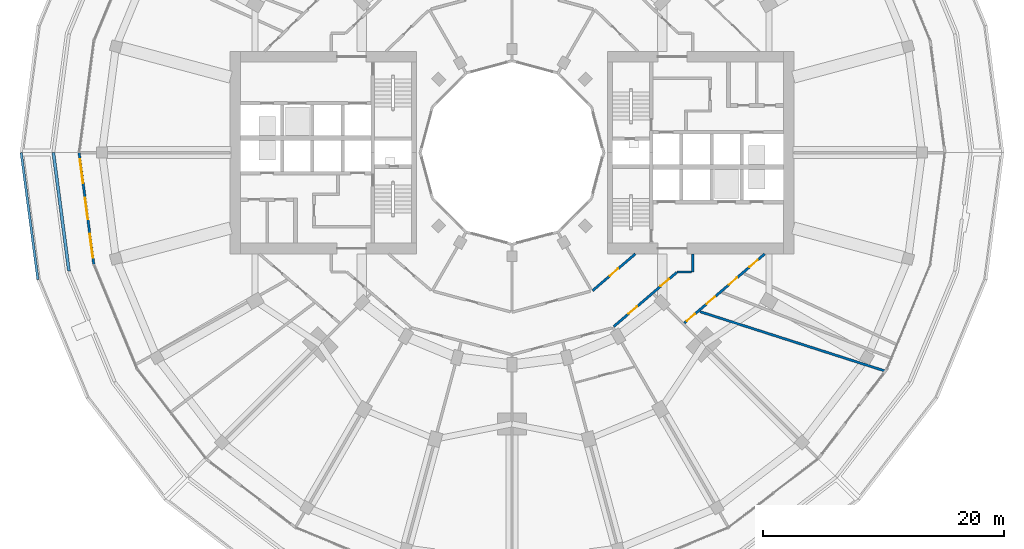
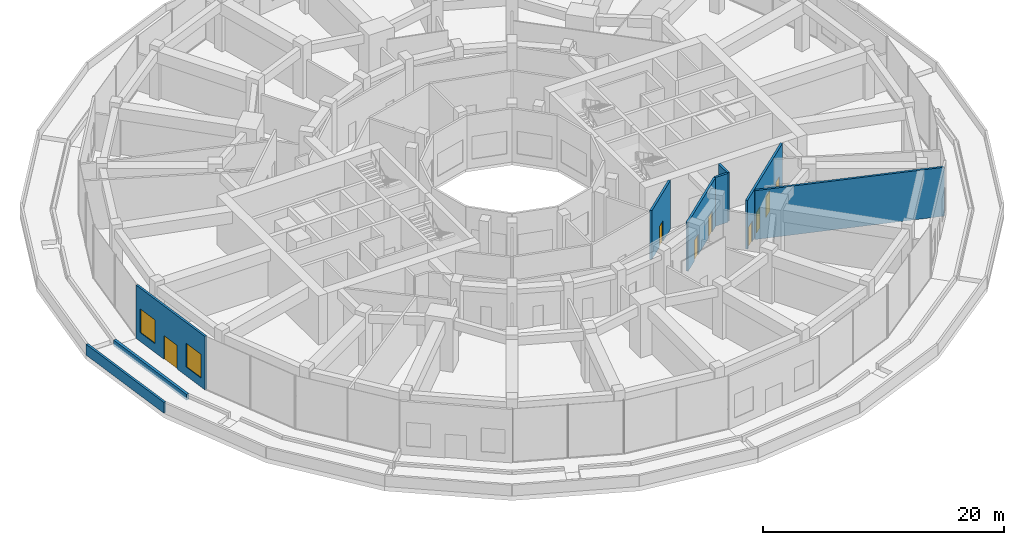
# One storey, part 18 of 26: 9 walls, 8 doors, 2 windows, 10 openings.
"""IFC4 building model written with IfcOpenShell, lengths in metres."""

from ifc_helpers import new_model, si_unit, direction, frame, frame_2d, origin, place, context, subcontext, project, spatial, rectangle, extrude, material, layer, layer_set, type_object, element, fill, save


model = new_model("IFC4")

# Units and contexts
model_context = context("Model", 3, precision=1e-05, world=origin(), true_north=direction((0.0, 1.0)))
body_context = subcontext(model_context, "Body", "Model", "MODEL_VIEW")
ifc_project = project(units=[si_unit("LENGTHUNIT", "METRE"), si_unit("AREAUNIT", "SQUARE_METRE"), si_unit("VOLUMEUNIT", "CUBIC_METRE"), si_unit("PLANEANGLEUNIT", "RADIAN"), si_unit("MASSUNIT", "GRAM", prefix="KILO")], contexts=[model_context])

# Site, building, storey
site_placement = place(None, origin())
site = spatial("IfcSite", under=ifc_project, at=site_placement, CompositionType="ELEMENT")
building_placement = place(site_placement, origin())
building = spatial("IfcBuilding", under=site, at=building_placement, Name="Torre Brocal", CompositionType="ELEMENT")
storey_placement = place(building_placement, frame((0.0, 0.0, 12.39990234375)))
storey = spatial("IfcBuildingStorey", under=building, at=storey_placement, Name="L02", CompositionType="ELEMENT", Elevation=12.39990234375)

# Wall, openings, windows, door
ifc_material_1 = material(Name="Concrete C40", Category="concrete")
ifc_layer_1 = layer(ifc_material_1, 0.199951171875)
ifc_layer_set_1 = layer_set([ifc_layer_1], Name="Concrete C40")
wall_type_1 = type_object("IfcWallType", Name="EXTERNAL WALL 200", PredefinedType="NOTDEFINED", material=ifc_layer_set_1)
wall_1_placement = place(storey_placement, frame((44.100830078125, 75.0, 0.0), z_axis=(0.0, 0.0, 1.0), x_axis=(0.130518532918, -0.99144586971, 0.0)))
wall_1 = element("IfcWall", 1, at=wall_1_placement, inside=storey, type_object=wall_type_1, Name="EXTERNAL WALL", PredefinedType="NOTDEFINED", context=body_context, shape_type="SweptSolid", body=[
    extrude(rectangle(XDim=9.371337890625, YDim=0.199951171875, at=frame_2d((4.685546875, 0.0))), origin(), (0.0, 0.0, 1.0), 5.400146484375),
])
opening_1_placement = place(wall_1_placement, frame((0.56201171875, 0.0, 0.89990234375)))
opening_1 = element("IfcOpeningElement", 2, at=opening_1_placement, cuts=wall_1, Name="Opening W2", PredefinedType="OPENING", context=body_context, shape_type="SweptSolid", body=[
    extrude(rectangle(XDim=2.0, YDim=2.39990234375, at=frame_2d((1.0, 1.199951171875))), frame((0.0, 0.10986328125, 0.0), z_axis=(0.0, -1.0, 0.0), x_axis=(1.0, 0.0, 0.0)), (0.0, 0.0, 1.0), 0.219970703125),
])
opening_2_placement = place(wall_1_placement, frame((3.785888671875, 0.0, 0.0)))
opening_2 = element("IfcOpeningElement", 3, at=opening_2_placement, cuts=wall_1, Name="Opening L02-E05", PredefinedType="OPENING", context=body_context, shape_type="SweptSolid", body=[
    extrude(rectangle(XDim=1.800048828125, YDim=2.39990234375, at=frame_2d((0.89990234375, 1.199951171875))), frame((0.0, 0.10986328125, 0.0), z_axis=(0.0, -1.0, 0.0), x_axis=(1.0, 0.0, 0.0)), (0.0, 0.0, 1.0), 0.219970703125),
])
opening_3_placement = place(wall_1_placement, frame((6.8095703125, 0.0, 0.89990234375)))
opening_3 = element("IfcOpeningElement", 4, at=opening_3_placement, cuts=wall_1, Name="Opening W2", PredefinedType="OPENING", context=body_context, shape_type="SweptSolid", body=[
    extrude(rectangle(XDim=2.0, YDim=2.39990234375, at=frame_2d((1.0, 1.199951171875))), frame((0.0, 0.10986328125, 0.0), z_axis=(0.0, -1.0, 0.0), x_axis=(1.0, 0.0, 0.0)), (0.0, 0.0, 1.0), 0.219970703125),
])
ifc_material_2 = material(Name="Aluminium and glass", Category="aluminium")
window_type = type_object("IfcWindowType", Name="PODIUM WINDOW 2000X2400", PartitioningType="SINGLE_PANEL", PredefinedType="WINDOW", material=ifc_material_2)
window_1_placement = place(opening_1_placement, origin())
window_1 = element("IfcWindow", 5, at=window_1_placement, inside=storey, type_object=window_type, Name="PODIUM WINDOW 2000X2400", OverallHeight=2.39990234375, OverallWidth=2.0, PartitioningType="SINGLE_PANEL", PredefinedType="WINDOW", context=body_context, shape_type="SweptSolid", body=[
    extrude(rectangle(XDim=2.0, YDim=2.39990234375, at=frame_2d((1.0, 1.199951171875))), frame((0.0, 0.030029296875, 0.0), z_axis=(0.0, -1.0, 0.0), x_axis=(1.0, 0.0, 0.0)), (0.0, 0.0, 1.0), 0.06005859375),
])
fill(opening_1, window_1)
window_2_placement = place(opening_3_placement, origin())
window_2 = element("IfcWindow", 6, at=window_2_placement, inside=storey, type_object=window_type, Name="PODIUM WINDOW 2000X2400", OverallHeight=2.39990234375, OverallWidth=2.0, PartitioningType="SINGLE_PANEL", PredefinedType="WINDOW", context=body_context, shape_type="SweptSolid", body=[
    extrude(rectangle(XDim=2.0, YDim=2.39990234375, at=frame_2d((1.0, 1.199951171875))), frame((0.0, 0.030029296875, 0.0), z_axis=(0.0, -1.0, 0.0), x_axis=(1.0, 0.0, 0.0)), (0.0, 0.0, 1.0), 0.06005859375),
])
fill(opening_3, window_2)
ifc_material_3 = material(Name="Aluminium and glass", Category="aluminium")
door_type_1 = type_object("IfcDoorType", Name="TERRACE DOUBLE DOOR 1800X2400", OperationType="DOUBLE_DOOR_SINGLE_SWING", PredefinedType="DOOR", material=ifc_material_3)
door_1_placement = place(opening_2_placement, frame((1.800048828125, 0.0, 0.0), z_axis=(0.0, 0.0, 1.0), x_axis=(-1.0, 0.0, 0.0)))
door_1 = element("IfcDoor", 7, at=door_1_placement, inside=storey, type_object=door_type_1, Name="DOOR L02-E05", OperationType="DOUBLE_DOOR_SINGLE_SWING", OverallHeight=2.39990234375, OverallWidth=1.800048828125, PredefinedType="DOOR", context=body_context, shape_type="SweptSolid", body=[
    extrude(rectangle(XDim=1.800048828125, YDim=2.39990234375, at=frame_2d((0.89990234375, 1.199951171875))), frame((0.0, 0.02490234375, 0.0), z_axis=(0.0, -1.0, 0.0), x_axis=(1.0, 0.0, 0.0)), (0.0, 0.0, 1.0), 0.050048828125),
])
fill(opening_2, door_1)

# Wall
ifc_material_4 = material(Name="Concrete C40", Category="concrete")
ifc_layer_2 = layer(ifc_material_4, 0.199951171875)
ifc_layer_set_2 = layer_set([ifc_layer_2], Name="Concrete C40")
wall_type_2 = type_object("IfcWallType", Name="PARAPET WALL 200 THICK 1100 HIGH", PredefinedType="PARAPET", material=ifc_layer_set_2)
wall_2_placement = place(storey_placement, frame((40.6875, 64.479736328125, 0.0), z_axis=(0.0, 0.0, 1.0), x_axis=(-0.130524829249, 0.991445040811, 0.0)))
element("IfcWall", 8, at=wall_2_placement, inside=storey, type_object=wall_type_2, Name="PARAPET WALL 12", PredefinedType="PARAPET", context=body_context, shape_type="SweptSolid", body=[
    extrude(rectangle(XDim=10.597900390625, YDim=0.199951171875, at=frame_2d((5.298828125, 0.0))), origin(), (0.0, 0.0, 1.0), 1.10009765625),
])

# Wall, opening, door
ifc_material_5 = material(Name="Gypsum board", Category="Gypsum")
ifc_layer_3 = layer(ifc_material_5, 0.199951171875)
ifc_layer_set_3 = layer_set([ifc_layer_3], Name="Gypsum board")
wall_type_3 = type_object("IfcWallType", Name="PARTITION 200 EI60", PredefinedType="PARTITIONING", material=ifc_layer_set_3)
wall_3_placement = place(storey_placement, frame((86.68505859375, 63.551025390625, 0.0), z_axis=(0.0, 0.0, 1.0), x_axis=(0.758049900748, 0.652196556244, 0.0)))
wall_3 = element("IfcWall", 9, at=wall_3_placement, inside=storey, type_object=wall_type_3, Name="CORRIDOR WALL", PredefinedType="PARTITIONING", context=body_context, shape_type="SweptSolid", body=[
    extrude(rectangle(XDim=4.675048828125, YDim=0.199951171875, at=frame_2d((2.33740234375, 0.0))), origin(), (0.0, 0.0, 1.0), 4.9501953125),
])
opening_4_placement = place(wall_3_placement, frame((1.887451171875, 0.0, 0.0)))
opening_4 = element("IfcOpeningElement", 10, at=opening_4_placement, cuts=wall_3, Name="Opening PD2-D37", PredefinedType="OPENING", context=body_context, shape_type="SweptSolid", body=[
    extrude(rectangle(XDim=0.89990234375, YDim=2.10009765625, at=frame_2d((0.449951171875, 1.050048828125))), frame((0.0, 0.10986328125, 0.0), z_axis=(0.0, -1.0, 0.0), x_axis=(1.0, 0.0, 0.0)), (0.0, 0.0, 1.0), 0.219970703125),
])
ifc_material_6 = material(Name="Timber", Category="wood")
door_type_2 = type_object("IfcDoorType", Name="ROOM DOOR 900X2100", OperationType="SINGLE_SWING_LEFT", PredefinedType="DOOR", material=ifc_material_6)
door_2_placement = place(opening_4_placement, origin())
door_2 = element("IfcDoor", 11, at=door_2_placement, inside=storey, type_object=door_type_2, Name="PD2-D37", OperationType="SINGLE_SWING_RIGHT", OverallHeight=2.10009765625, OverallWidth=0.89990234375, PredefinedType="DOOR", context=body_context, shape_type="SweptSolid", body=[
    extrude(rectangle(XDim=0.89990234375, YDim=2.10009765625, at=frame_2d((0.449951171875, 1.050048828125))), frame((0.0, 0.02490234375, 0.0), z_axis=(0.0, -1.0, 0.0), x_axis=(1.0, 0.0, 0.0)), (0.0, 0.0, 1.0), 0.050048828125),
])
fill(opening_4, door_2)

# Wall, openings, doors
wall_4_placement = place(storey_placement, frame((88.436279296875, 60.572509765625, 0.0), z_axis=(0.0, 0.0, 1.0), x_axis=(0.758186248639, 0.652038045189, 0.0)))
wall_4 = element("IfcWall", 12, at=wall_4_placement, inside=storey, type_object=wall_type_3, Name="CORRIDOR WALL", PredefinedType="PARTITIONING", context=body_context, shape_type="SweptSolid", body=[
    extrude(rectangle(XDim=6.881591796875, YDim=0.199951171875, at=frame_2d((3.44091796875, 0.0))), origin(), (0.0, 0.0, 1.0), 4.9501953125),
])
opening_5_placement = place(wall_4_placement, frame((5.135498046875, 0.0, 0.0)))
opening_5 = element("IfcOpeningElement", 13, at=opening_5_placement, cuts=wall_4, Name="Opening PD2-D25", PredefinedType="OPENING", context=body_context, shape_type="SweptSolid", body=[
    extrude(rectangle(XDim=0.89990234375, YDim=2.10009765625, at=frame_2d((0.449951171875, 1.050048828125))), frame((0.0, 0.10986328125, 0.0), z_axis=(0.0, -1.0, 0.0), x_axis=(1.0, 0.0, 0.0)), (0.0, 0.0, 1.0), 0.219970703125),
])
opening_6_placement = place(wall_4_placement, frame((1.627197265625, 0.0, 0.0)))
opening_6 = element("IfcOpeningElement", 14, at=opening_6_placement, cuts=wall_4, Name="Opening PD2-D26", PredefinedType="OPENING", context=body_context, shape_type="SweptSolid", body=[
    extrude(rectangle(XDim=0.89990234375, YDim=2.10009765625, at=frame_2d((0.449951171875, 1.050048828125))), frame((0.0, 0.10986328125, 0.0), z_axis=(0.0, -1.0, 0.0), x_axis=(1.0, 0.0, 0.0)), (0.0, 0.0, 1.0), 0.219970703125),
])
door_3_placement = place(opening_5_placement, frame((0.89990234375, 0.0, 0.0), z_axis=(0.0, 0.0, 1.0), x_axis=(-1.0, 0.0, 0.0)))
door_3 = element("IfcDoor", 15, at=door_3_placement, inside=storey, type_object=door_type_2, Name="PD2-D25", OperationType="SINGLE_SWING_RIGHT", OverallHeight=2.10009765625, OverallWidth=0.89990234375, PredefinedType="DOOR", context=body_context, shape_type="SweptSolid", body=[
    extrude(rectangle(XDim=0.89990234375, YDim=2.10009765625, at=frame_2d((0.449951171875, 1.050048828125))), frame((0.0, 0.02490234375, 0.0), z_axis=(0.0, -1.0, 0.0), x_axis=(1.0, 0.0, 0.0)), (0.0, 0.0, 1.0), 0.050048828125),
])
fill(opening_5, door_3)
door_4_placement = place(opening_6_placement, frame((0.89990234375, 0.0, 0.0), z_axis=(0.0, 0.0, 1.0), x_axis=(-1.0, 0.0, 0.0)))
door_4 = element("IfcDoor", 16, at=door_4_placement, inside=storey, type_object=door_type_2, Name="PD2-D26", OperationType="SINGLE_SWING_LEFT", OverallHeight=2.10009765625, OverallWidth=0.89990234375, PredefinedType="DOOR", context=body_context, shape_type="SweptSolid", body=[
    extrude(rectangle(XDim=0.89990234375, YDim=2.10009765625, at=frame_2d((0.449951171875, 1.050048828125))), frame((0.0, 0.02490234375, 0.0), z_axis=(0.0, -1.0, 0.0), x_axis=(1.0, 0.0, 0.0)), (0.0, 0.0, 1.0), 0.050048828125),
])
fill(opening_6, door_4)

# Wall
wall_5_placement = place(storey_placement, frame((93.697998046875, 65.10009765625, 0.0), z_axis=(0.0, 0.0, 1.0), x_axis=(1.0, 0.0, 0.0)))
element("IfcWall", 17, at=wall_5_placement, inside=storey, type_object=wall_type_3, Name="CORRIDOR WALL", PredefinedType="PARTITIONING", context=body_context, shape_type="SweptSolid", body=[
    extrude(rectangle(XDim=1.201904296875, YDim=0.199951171875, at=frame_2d((0.60107421875, 0.0))), origin(), (0.0, 0.0, 1.0), 4.9501953125),
])

# Wall, openings, doors
wall_6_placement = place(storey_placement, frame((94.293212890625, 60.863037109375, 0.0), z_axis=(0.0, 0.0, 1.0), x_axis=(0.757971612666, 0.652287539658, 0.0)))
wall_6 = element("IfcWall", 18, at=wall_6_placement, inside=storey, type_object=wall_type_3, Name="PLANT ROOM WALL", PredefinedType="PARTITIONING", context=body_context, shape_type="SweptSolid", body=[
    extrude(rectangle(XDim=8.79443359375, YDim=0.199951171875, at=frame_2d((4.397216796875, 0.0))), origin(), (0.0, 0.0, 1.0), 4.9501953125),
])
opening_7_placement = place(wall_6_placement, frame((0.26708984375, 0.0, 0.0)))
opening_7 = element("IfcOpeningElement", 19, at=opening_7_placement, cuts=wall_6, Name="Opening PD2-D21", PredefinedType="OPENING", context=body_context, shape_type="SweptSolid", body=[
    extrude(rectangle(XDim=0.89990234375, YDim=2.10009765625, at=frame_2d((0.449951171875, 1.050048828125))), frame((0.0, 0.10986328125, 0.0), z_axis=(0.0, -1.0, 0.0), x_axis=(1.0, 0.0, 0.0)), (0.0, 0.0, 1.0), 0.219970703125),
])
opening_8_placement = place(wall_6_placement, frame((2.44580078125, 0.0, 0.0)))
opening_8 = element("IfcOpeningElement", 20, at=opening_8_placement, cuts=wall_6, Name="Opening PD2-D22", PredefinedType="OPENING", context=body_context, shape_type="SweptSolid", body=[
    extrude(rectangle(XDim=0.89990234375, YDim=2.10009765625, at=frame_2d((0.449951171875, 1.050048828125))), frame((0.0, 0.10986328125, 0.0), z_axis=(0.0, -1.0, 0.0), x_axis=(1.0, 0.0, 0.0)), (0.0, 0.0, 1.0), 0.219970703125),
])
opening_9_placement = place(wall_6_placement, frame((4.869873046875, 0.0, 0.0)))
opening_9 = element("IfcOpeningElement", 21, at=opening_9_placement, cuts=wall_6, Name="Opening PD2-D23", PredefinedType="OPENING", context=body_context, shape_type="SweptSolid", body=[
    extrude(rectangle(XDim=0.89990234375, YDim=2.10009765625, at=frame_2d((0.449951171875, 1.050048828125))), frame((0.0, 0.10986328125, 0.0), z_axis=(0.0, -1.0, 0.0), x_axis=(1.0, 0.0, 0.0)), (0.0, 0.0, 1.0), 0.219970703125),
])
opening_10_placement = place(wall_6_placement, frame((7.122802734375, 0.0, 0.0)))
opening_10 = element("IfcOpeningElement", 22, at=opening_10_placement, cuts=wall_6, Name="Opening PD2-D24", PredefinedType="OPENING", context=body_context, shape_type="SweptSolid", body=[
    extrude(rectangle(XDim=0.89990234375, YDim=2.10009765625, at=frame_2d((0.449951171875, 1.050048828125))), frame((0.0, 0.10986328125, 0.0), z_axis=(0.0, -1.0, 0.0), x_axis=(1.0, 0.0, 0.0)), (0.0, 0.0, 1.0), 0.219970703125),
])
door_5_placement = place(opening_7_placement, frame((0.89990234375, 0.0, 0.0), z_axis=(0.0, 0.0, 1.0), x_axis=(-1.0, 0.0, 0.0)))
door_5 = element("IfcDoor", 23, at=door_5_placement, inside=storey, type_object=door_type_2, Name="PD2-D21", OperationType="SINGLE_SWING_RIGHT", OverallHeight=2.10009765625, OverallWidth=0.89990234375, PredefinedType="DOOR", context=body_context, shape_type="SweptSolid", body=[
    extrude(rectangle(XDim=0.89990234375, YDim=2.10009765625, at=frame_2d((0.449951171875, 1.050048828125))), frame((0.0, 0.02490234375, 0.0), z_axis=(0.0, -1.0, 0.0), x_axis=(1.0, 0.0, 0.0)), (0.0, 0.0, 1.0), 0.050048828125),
])
fill(opening_7, door_5)
door_6_placement = place(opening_8_placement, frame((0.89990234375, 0.0, 0.0), z_axis=(0.0, 0.0, 1.0), x_axis=(-1.0, 0.0, 0.0)))
door_6 = element("IfcDoor", 24, at=door_6_placement, inside=storey, type_object=door_type_2, Name="PD2-D22", OperationType="SINGLE_SWING_RIGHT", OverallHeight=2.10009765625, OverallWidth=0.89990234375, PredefinedType="DOOR", context=body_context, shape_type="SweptSolid", body=[
    extrude(rectangle(XDim=0.89990234375, YDim=2.10009765625, at=frame_2d((0.449951171875, 1.050048828125))), frame((0.0, 0.02490234375, 0.0), z_axis=(0.0, -1.0, 0.0), x_axis=(1.0, 0.0, 0.0)), (0.0, 0.0, 1.0), 0.050048828125),
])
fill(opening_8, door_6)
door_7_placement = place(opening_9_placement, frame((0.89990234375, 0.0, 0.0), z_axis=(0.0, 0.0, 1.0), x_axis=(-1.0, 0.0, 0.0)))
door_7 = element("IfcDoor", 25, at=door_7_placement, inside=storey, type_object=door_type_2, Name="PD2-D23", OperationType="SINGLE_SWING_RIGHT", OverallHeight=2.10009765625, OverallWidth=0.89990234375, PredefinedType="DOOR", context=body_context, shape_type="SweptSolid", body=[
    extrude(rectangle(XDim=0.89990234375, YDim=2.10009765625, at=frame_2d((0.449951171875, 1.050048828125))), frame((0.0, 0.02490234375, 0.0), z_axis=(0.0, -1.0, 0.0), x_axis=(1.0, 0.0, 0.0)), (0.0, 0.0, 1.0), 0.050048828125),
])
fill(opening_9, door_7)
door_8_placement = place(opening_10_placement, frame((0.89990234375, 0.0, 0.0), z_axis=(0.0, 0.0, 1.0), x_axis=(-1.0, 0.0, 0.0)))
door_8 = element("IfcDoor", 26, at=door_8_placement, inside=storey, type_object=door_type_2, Name="PD2-D24", OperationType="SINGLE_SWING_RIGHT", OverallHeight=2.10009765625, OverallWidth=0.89990234375, PredefinedType="DOOR", context=body_context, shape_type="SweptSolid", body=[
    extrude(rectangle(XDim=0.89990234375, YDim=2.10009765625, at=frame_2d((0.449951171875, 1.050048828125))), frame((0.0, 0.02490234375, 0.0), z_axis=(0.0, -1.0, 0.0), x_axis=(1.0, 0.0, 0.0)), (0.0, 0.0, 1.0), 0.050048828125),
])
fill(opening_10, door_8)

# Walls
wall_7_placement = place(storey_placement, frame((95.0, 65.10009765625, 0.0), z_axis=(0.0, 0.0, 1.0), x_axis=(0.0, 1.0, 0.0)))
element("IfcWall", 27, at=wall_7_placement, inside=storey, type_object=wall_type_3, Name="CORRIDOR WALL", PredefinedType="PARTITIONING", context=body_context, shape_type="SweptSolid", body=[
    extrude(rectangle(XDim=1.4990234375, YDim=0.199951171875, at=frame_2d((0.74951171875, 0.0))), origin(), (0.0, 0.0, 1.0), 4.9501953125),
])
wall_8_placement = place(storey_placement, frame((95.60791015625, 61.802978515625, 0.0), z_axis=(0.0, 0.0, 1.0), x_axis=(0.95221773396, -0.305420017569, 0.0)))
element("IfcWall", 28, at=wall_8_placement, inside=storey, type_object=wall_type_3, Name="SERVICE ROOM WALL", PredefinedType="PARTITIONING", context=body_context, shape_type="SweptSolid", body=[
    extrude(rectangle(XDim=16.071044921875, YDim=0.199951171875, at=frame_2d((8.03564453125, 0.0))), origin(), (0.0, 0.0, 1.0), 4.9501953125),
])
ifc_material_7 = material(Name="Concrete C35", Category="concrete")
ifc_layer_4 = layer(ifc_material_7, 0.25)
ifc_layer_set_4 = layer_set([ifc_layer_4], Name="Concrete C35")
wall_type_4 = type_object("IfcWallType", Name="PLANTER WALL 250 THICK 600 HIGH", PredefinedType="USERDEFINED", material=ifc_layer_set_4)
wall_9_placement = place(storey_placement, frame((43.261474609375, 65.1728515625, 0.0), z_axis=(0.0, 0.0, 1.0), x_axis=(-0.130543713086, 0.991442554551, 0.0)))
element("IfcWall", 29, at=wall_9_placement, inside=storey, type_object=wall_type_4, Name="PLANTER", ObjectType="PLANTER", PredefinedType="USERDEFINED", context=body_context, shape_type="SweptSolid", body=[
    extrude(rectangle(XDim=9.911865234375, YDim=0.25, at=frame_2d((4.9560546875, 0.0))), origin(), (0.0, 0.0, 1.0), 0.60009765625),
])

save(model, "model.ifc")
